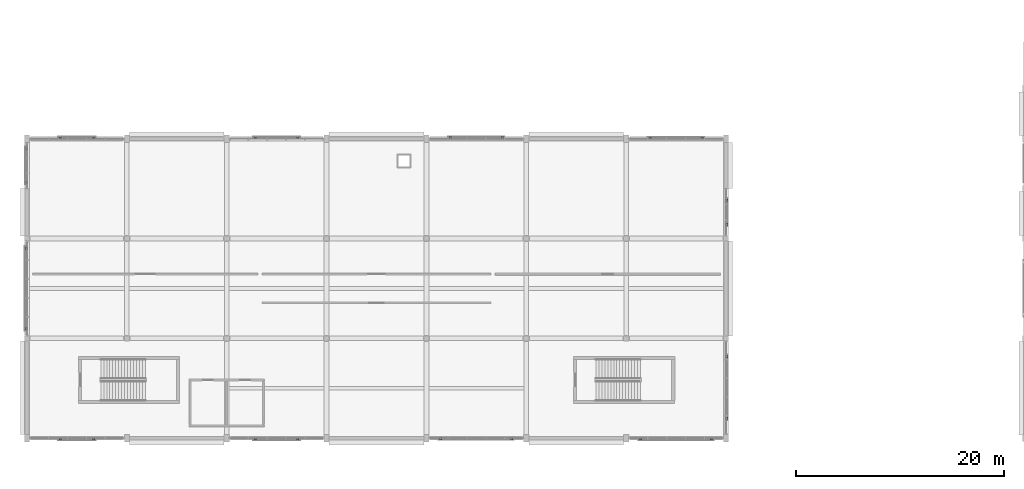
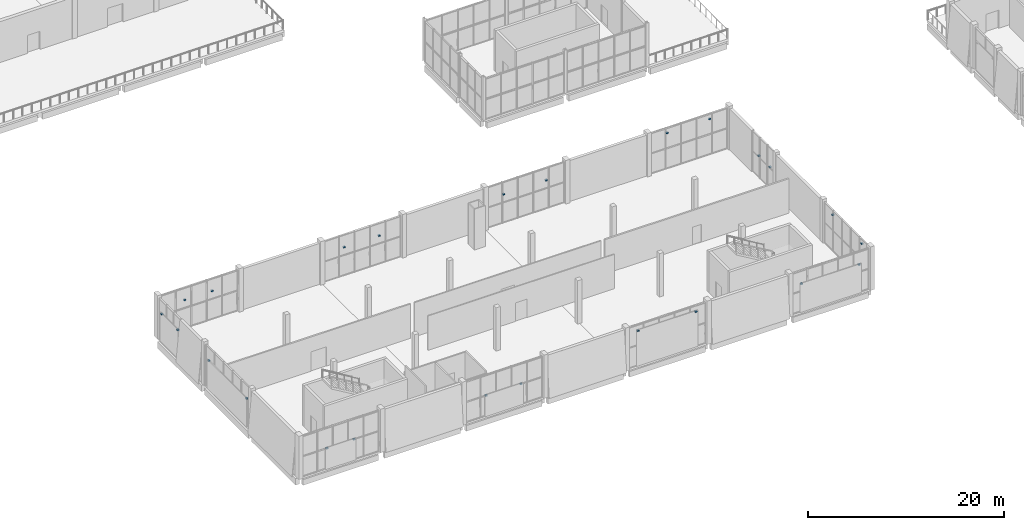
# One storey, part 63 of 83: 24 discrete accessories.
"""IFC4 building model written with IfcOpenShell, lengths in metres."""

import ifcopenshell
import ifcopenshell.guid

model = None  # the IFC model being written
_history = None  # IfcOwnerHistory: only IFC2X3 demands one
_inside = {}  # id of a spatial element -> (the spatial element, [elements in it])
_under = {}  # id of a project, library or spatial element -> (it, [spatial elements below it])
_declared = {}  # id of a project -> (the project, [libraries it declares])
_typed = {}  # id of a type object -> (the type object, [elements of that type])
_made_of = {}  # id of a material, layer set ... -> (it, [elements and type objects made of it])


def new_model(schema):
    """Start an empty IFC model of exactly this schema.

    Asked for "IFC4X3", IfcOpenShell would pick the latest addendum, in which some entities
    have other attributes; the version numbers below select the first issue.
    IFC2X3 requires an IfcOwnerHistory on every rooted entity: one is made here for all.
    """
    global model, _history
    if schema == "IFC4X3":
        model = ifcopenshell.file(schema_version=(4, 3, 0, 0))
    else:
        model = ifcopenshell.file(schema=schema)
    _inside.clear()
    _under.clear()
    _declared.clear()
    _typed.clear()
    _made_of.clear()
    _history = None
    if model.schema == "IFC2X3":
        org = make("IfcOrganization", Name="unknown")
        user = make(
            "IfcPersonAndOrganization",
            ThePerson=make("IfcPerson", FamilyName="unknown"),
            TheOrganization=org,
        )
        app = make(
            "IfcApplication",
            ApplicationDeveloper=org,
            Version="unknown",
            ApplicationFullName="unknown",
            ApplicationIdentifier="unknown",
        )
        _history = make(
            "IfcOwnerHistory",
            OwningUser=user,
            OwningApplication=app,
            ChangeAction="ADDED",
            CreationDate=0,
        )
    return model


def make(cls, **values):
    """One entity of the class cls with the attributes given. An attribute that is None is left unset."""
    return model.create_entity(
        cls, **{name: value for name, value in values.items() if value is not None}
    )


def rooted(cls, **values):
    """An entity with a GlobalId (a new one), such as an element, a storey or a relation."""
    return make(cls, GlobalId=ifcopenshell.guid.new(), OwnerHistory=_history, **values)


def si_unit(unit_type, name, prefix=None):
    """IfcSIUnit, for example si_unit("LENGTHUNIT", "METRE", prefix="MILLI")."""
    return make("IfcSIUnit", UnitType=unit_type, Prefix=prefix, Name=name)


def assignment(units):
    """IfcUnitAssignment: the units of a project."""
    return None if units is None else make("IfcUnitAssignment", Units=units)


def point(xyz):
    """IfcCartesianPoint."""
    return None if xyz is None else make("IfcCartesianPoint", Coordinates=xyz)


def direction(xyz):
    """IfcDirection."""
    return None if xyz is None else make("IfcDirection", DirectionRatios=xyz)


def frame(location, z_axis=None, x_axis=None):
    """IfcAxis2Placement3D, a coordinate frame: its origin and axes. An axis left out is left unset."""
    return make(
        "IfcAxis2Placement3D",
        Location=point(location),
        Axis=direction(z_axis),
        RefDirection=direction(x_axis),
    )


def frame_2d(location, x_axis=None):
    """IfcAxis2Placement2D, a coordinate frame in the plane: its origin and x axis."""
    return make(
        "IfcAxis2Placement2D", Location=point(location), RefDirection=direction(x_axis)
    )


def origin():
    """The frame at (0, 0, 0) with its axes left unset."""
    return frame((0.0, 0.0, 0.0))


def origin_2d():
    """The frame at (0, 0) in the plane with its x axis left unset."""
    return frame_2d((0.0, 0.0))


def place(relative_to, where):
    """IfcLocalPlacement: puts the frame where relative to a parent placement (None: the world)."""
    return make(
        "IfcLocalPlacement", PlacementRelTo=relative_to, RelativePlacement=where
    )


def context(
    kind, dimensions, precision=None, world=None, true_north=None, identifier=None
):
    """IfcGeometricRepresentationContext, for example the 3D "Model" context."""
    return make(
        "IfcGeometricRepresentationContext",
        ContextIdentifier=identifier,
        ContextType=kind,
        CoordinateSpaceDimension=dimensions,
        Precision=precision,
        WorldCoordinateSystem=world,
        TrueNorth=true_north,
    )


def subcontext(parent, identifier, kind, view, scale=None):
    """IfcGeometricRepresentationSubContext, for example "Body" below "Model"."""
    return make(
        "IfcGeometricRepresentationSubContext",
        ContextIdentifier=identifier,
        ContextType=kind,
        ParentContext=parent,
        TargetScale=scale,
        TargetView=view,
    )


def project(units=None, contexts=None):
    """IfcProject with its units and contexts."""
    return rooted(
        "IfcProject",
        Name="project",
        RepresentationContexts=contexts,
        UnitsInContext=assignment(units),
    )


def spatial(cls, under=None, at=None, **own):
    """A site, building, storey or space (cls), placed at a placement, below another one or the project."""
    s = rooted(cls, ObjectPlacement=at, **own)
    if under is not None:
        _under.setdefault(under.id(), (under, []))[1].append(s)
    return s


def profile(cls, at=None, kind="AREA", **sizes):
    """A parametric profile (cls). Its sizes go by their IFC names, for example OverallWidth=200.0."""
    return make(cls, ProfileType=kind, Position=at, **sizes)


def rectangle(**sizes):
    """IfcRectangleProfileDef."""
    return profile("IfcRectangleProfileDef", **sizes)


def extrude(swept, where, along, depth):
    """IfcExtrudedAreaSolid: the profile swept, set in the frame where, extruded along a direction by depth."""
    return make(
        "IfcExtrudedAreaSolid",
        SweptArea=swept,
        Position=where,
        ExtrudedDirection=direction(along),
        Depth=depth,
    )


def shape(context_of_items, identifier, shape_type, items):
    """IfcShapeRepresentation: the items that make up one representation, for example the "Body"."""
    return make(
        "IfcShapeRepresentation",
        ContextOfItems=context_of_items,
        RepresentationIdentifier=identifier,
        RepresentationType=shape_type,
        Items=items,
    )


def material(Name=None, Category=None):
    """IfcMaterial."""
    return make("IfcMaterial", Name=Name, Category=Category)


def made_of(thing, what):
    """Note that an element or type object is made of a material, layer set ...; save() writes the relation."""
    if what is not None:
        _made_of.setdefault(what.id(), (what, []))[1].append(thing)
    return thing


def type_object(cls, material=None, **own):
    """A type object (cls), such as IfcWallType, which elements share."""
    return made_of(rooted(cls, **own), material)


def element(
    cls,
    number,
    at=None,
    inside=None,
    cuts=None,
    type_object=None,
    material=None,
    context=None,
    identifier="Body",
    shape_type=None,
    held_by="IfcProductDefinitionShape",
    body=None,
    shapes=None,
    **own,
):
    """One element of the class cls, such as IfcWall. Its Tag is "e" and its number.

    at: its placement. inside: the storey or other place that contains it. cuts: it is an
    opening in that element (IfcRelVoidsElement). A single representation is given by context,
    identifier, shape_type and body (its items); several are given by shapes. held_by: the class
    of the entity that holds the representations. save() writes the other relations.
    """
    e = rooted(cls, Tag="e%d" % number, ObjectPlacement=at, **own)
    if body is not None:
        shapes = [shape(context, identifier, shape_type, body)]
    if shapes is not None:
        e.Representation = make(held_by, Representations=shapes)
    if inside is not None:
        _inside.setdefault(inside.id(), (inside, []))[1].append(e)
    if cuts is not None:
        rooted(
            "IfcRelVoidsElement", RelatingBuildingElement=cuts, RelatedOpeningElement=e
        )
    if type_object is not None:
        _typed.setdefault(type_object.id(), (type_object, []))[1].append(e)
    return made_of(e, material)


def aggregate(whole, parts):
    """IfcRelAggregates: a whole, such as a stair, and the parts it consists of."""
    return rooted("IfcRelAggregates", RelatingObject=whole, RelatedObjects=parts)


def save(model, path):
    """Write the relations noted so far, then the file.

    IfcRelAggregates (storeys below a building ...), IfcRelContainedInSpatialStructure (elements
    in a storey), IfcRelDefinesByType, IfcRelAssociatesMaterial and IfcRelDeclares: one each for
    every whole, place, type object, material and project.
    """
    for whole, parts in _under.values():
        aggregate(whole, parts)
    for where, things in _inside.values():
        rooted(
            "IfcRelContainedInSpatialStructure",
            RelatedElements=things,
            RelatingStructure=where,
        )
    for kind, things in _typed.values():
        rooted("IfcRelDefinesByType", RelatedObjects=things, RelatingType=kind)
    for what, things in _made_of.values():
        rooted("IfcRelAssociatesMaterial", RelatedObjects=things, RelatingMaterial=what)
    for by, libraries in _declared.values():
        rooted("IfcRelDeclares", RelatingContext=by, RelatedDefinitions=libraries)
    model.write(path)


model = new_model("IFC4")

# Units and contexts
model_context = context("Model", 3, precision=1e-05, world=origin(), true_north=direction((0.0, 1.0)))
body_context = subcontext(model_context, "Body", "Model", "MODEL_VIEW")
ifc_project = project(units=[si_unit("LENGTHUNIT", "METRE"), si_unit("AREAUNIT", "SQUARE_METRE"), si_unit("VOLUMEUNIT", "CUBIC_METRE"), si_unit("PLANEANGLEUNIT", "RADIAN"), si_unit("MASSUNIT", "GRAM", prefix="KILO")], contexts=[model_context])

# Site, building, storey
site_placement = place(None, origin())
site = spatial("IfcSite", under=ifc_project, at=site_placement, CompositionType="ELEMENT")
building_placement = place(site_placement, origin())
building = spatial("IfcBuilding", under=site, at=building_placement, Name="Shalvenor Court Art Gallery", CompositionType="ELEMENT")
storey_placement = place(building_placement, frame((0.0, 0.0, 6.0)))
storey = spatial("IfcBuildingStorey", under=building, at=storey_placement, Name="L01", CompositionType="ELEMENT", Elevation=6.0)

# Discrete accessories
ifc_material = material(Name="Stainless steel anchor bracket", Category="steel")
discrete_accessory_type = type_object("IfcDiscreteAccessoryType", Name="BRK-01", PredefinedType="BRACKET", material=ifc_material)
for number, where, z_axis, x_axis, name in (
    (1, (3.199951171875, 28.866455078125, 3.3701171875), (0.0, 0.0, 1.0), (1.0, 0.0, 0.0), "L01 Lattice Anchor Bracket 225"),
    (2, (6.39990234375, 28.866455078125, 3.3701171875), (0.0, 0.0, 1.0), (1.0, 0.0, 0.0), "L01 Lattice Anchor Bracket 226"),
    (3, (21.949951171875, 28.87158203125, 3.3701171875), (0.0, 0.0, 1.0), (1.0, 0.0, 0.0), "L01 Lattice Anchor Bracket 227"),
    (4, (26.050048828125, 28.87158203125, 3.3701171875), (0.0, 0.0, 1.0), (1.0, 0.0, 0.0), "L01 Lattice Anchor Bracket 228"),
    (5, (40.699951171875, 28.87646484375, 3.3701171875), (0.0, 0.0, 1.0), (1.0, 0.0, 0.0), "L01 Lattice Anchor Bracket 229"),
    (6, (45.699951171875, 28.87646484375, 3.3701171875), (0.0, 0.0, 1.0), (1.0, 0.0, 0.0), "L01 Lattice Anchor Bracket 230"),
    (7, (59.89990234375, 28.8564453125, 4.27001953125), (0.0, 0.0, 1.0), (1.0, 0.0, 0.0), "L01 Lattice Anchor Bracket 231"),
    (8, (64.89990234375, 28.8564453125, 4.27001953125), (0.0, 0.0, 1.0), (1.0, 0.0, 0.0), "L01 Lattice Anchor Bracket 232"),
    (9, (67.265380859375, 22.875, 2.47021484375), (0.0, 0.0, 1.0), (0.0, -1.0, 0.0), "L01 Lattice Anchor Bracket 233"),
    (10, (67.265380859375, 20.574951171875, 2.47021484375), (0.0, 0.0, 1.0), (0.0, -1.0, 0.0), "L01 Lattice Anchor Bracket 234"),
    (11, (67.271484375, 7.8125, 4.27001953125), (0.0, 0.0, 1.0), (0.0, -1.0, 0.0), "L01 Lattice Anchor Bracket 235"),
    (12, (67.271484375, 1.91259765625, 4.27001953125), (0.0, 0.0, 1.0), (0.0, -1.0, 0.0), "L01 Lattice Anchor Bracket 236"),
    (13, (65.800048828125, -0.076416015625, 3.3701171875), (0.0, 0.0, 1.0), (-1.0, 0.0, 0.0), "L01 Lattice Anchor Bracket 237"),
    (14, (59.0, -0.076416015625, 3.3701171875), (0.0, 0.0, 1.0), (-1.0, 0.0, 0.0), "L01 Lattice Anchor Bracket 238"),
    (15, (46.60009765625, -0.056396484375, 4.27001953125), (0.0, 0.0, 1.0), (-1.0, 0.0, 0.0), "L01 Lattice Anchor Bracket 239"),
    (16, (39.800048828125, -0.056396484375, 4.27001953125), (0.0, 0.0, 1.0), (-1.0, 0.0, 0.0), "L01 Lattice Anchor Bracket 240"),
    (17, (26.050048828125, -0.06640625, 2.47021484375), (0.0, 0.0, 1.0), (-1.0, 0.0, 0.0), "L01 Lattice Anchor Bracket 241"),
    (18, (21.949951171875, -0.06640625, 2.47021484375), (0.0, 0.0, 1.0), (-1.0, 0.0, 0.0), "L01 Lattice Anchor Bracket 242"),
    (19, (6.39990234375, -0.071533203125, 2.47021484375), (0.0, 0.0, 1.0), (-1.0, 0.0, 0.0), "L01 Lattice Anchor Bracket 243"),
    (20, (3.199951171875, -0.071533203125, 2.47021484375), (0.0, 0.0, 1.0), (-1.0, 0.0, 0.0), "L01 Lattice Anchor Bracket 244"),
    (21, (-0.07763671875, 10.550048828125, 3.3701171875), (0.0, 0.0, 1.0), (0.0, 1.0, 0.0), "L01 Lattice Anchor Bracket 245"),
    (22, (-0.07763671875, 18.25, 3.3701171875), (0.0, 0.0, 1.0), (0.0, 1.0, 0.0), "L01 Lattice Anchor Bracket 246"),
    (23, (-0.056396484375, 24.612548828125, 3.3701171875), (0.0, 0.0, 1.0), (0.0, 1.0, 0.0), "L01 Lattice Anchor Bracket 247"),
    (24, (-0.056396484375, 27.8125, 3.3701171875), (0.0, 0.0, 1.0), (0.0, 1.0, 0.0), "L01 Lattice Anchor Bracket 248"),
):
    element("IfcDiscreteAccessory", number, at=place(storey_placement, frame(where, z_axis=z_axis, x_axis=x_axis)), inside=storey, type_object=discrete_accessory_type, Name=name, PredefinedType="BRACKET", context=body_context, shape_type="SweptSolid", body=[
        extrude(rectangle(XDim=0.239990234375, YDim=0.219970703125, at=origin_2d()), origin(), (0.0, 0.0, 1.0), 0.159912109375),
    ])

save(model, "model.ifc")
